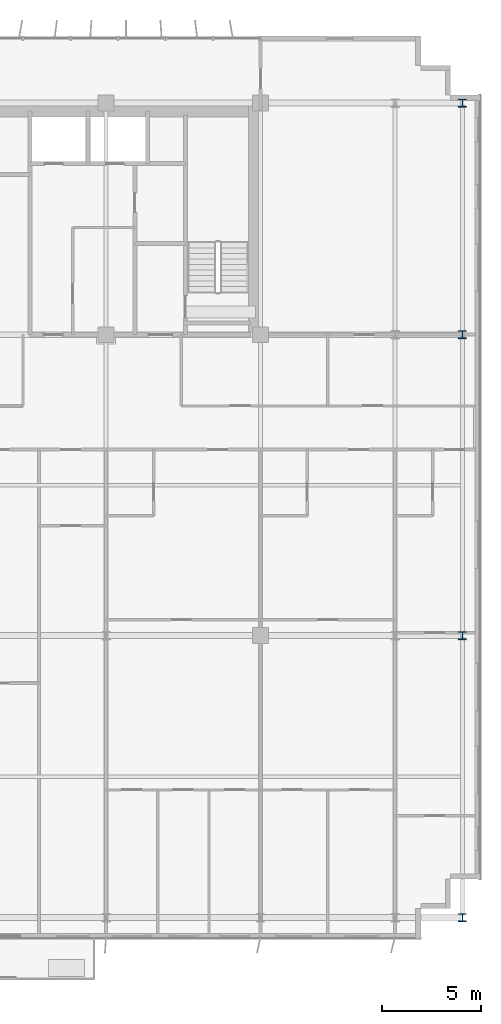
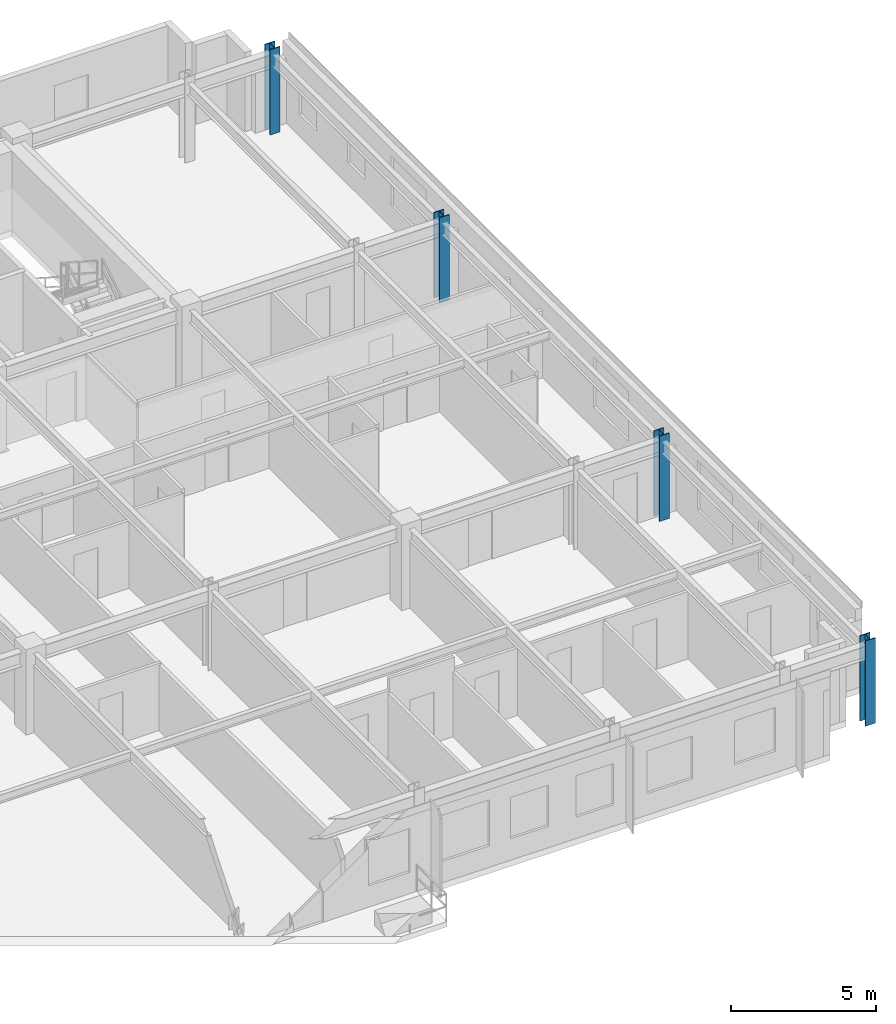
# One storey, part 3 of 22: 4 columns.
"""IFC4 building model written with IfcOpenShell, lengths in metres."""

from ifc_helpers import new_model, si_unit, direction, frame, origin, origin_2d, place, context, subcontext, project, spatial, i_section, extrude, source, transform, mapped, material, material_profile, profile_set, type_object, element, save


model = new_model("IFC4")

# Units and contexts
model_context = context("Model", 3, precision=1e-05, world=origin(), true_north=direction((0.0, 1.0)))
body_context = subcontext(model_context, "Body", "Model", "MODEL_VIEW")
ifc_project = project(units=[si_unit("LENGTHUNIT", "METRE"), si_unit("AREAUNIT", "SQUARE_METRE"), si_unit("VOLUMEUNIT", "CUBIC_METRE"), si_unit("PLANEANGLEUNIT", "RADIAN"), si_unit("MASSUNIT", "GRAM", prefix="KILO")], contexts=[model_context])

# Site, building, storey
site_placement = place(None, origin())
site = spatial("IfcSite", under=ifc_project, at=site_placement, CompositionType="ELEMENT")
building_placement = place(site_placement, origin())
building = spatial("IfcBuilding", under=site, at=building_placement, Name="Trelvane Seafront Commons", CompositionType="ELEMENT")
storey_placement = place(building_placement, frame((0.0, 0.0, 92.5)))
storey = spatial("IfcBuildingStorey", under=building, at=storey_placement, Name="L23", CompositionType="ELEMENT", Elevation=92.5)

# Columns
ifc_material = material(Name="Steel SM355 (S355)", Category="steel")
ifc_material_profile = material_profile(ifc_material, i_section(OverallWidth=0.39990234375, OverallDepth=0.39990234375, WebThickness=0.02197265625, FlangeThickness=0.034912109375, at=origin_2d()), Name="HD-400x400x22x35")
ifc_profile_set = profile_set([ifc_material_profile], Name="Steel SM355 (S355)")
column_type = type_object("IfcColumnType", Name="STR-COL-HD400", PredefinedType="COLUMN", material=ifc_profile_set)
shared_shape = source(origin(), body_context, "Body", "SweptSolid", [
    extrude(i_section(OverallWidth=0.39990234375, OverallDepth=0.39990234375, WebThickness=0.02197265625, FlangeThickness=0.034912109375, at=origin_2d()), origin(), (0.0, 0.0, 1.0), 3.60009765625),
])
for number, where, z_axis, x_axis, name in (
    (1, (69.0, 3.949951171875, 0.0), (0.0, 0.0, 1.0), (1.0, 0.0, 0.0), "L23 Column TC-S69.0"),
    (2, (69.0, 18.199951171875, 0.0), (0.0, 0.0, 1.0), (1.0, 0.0, 0.0), "L23 Column TC-M69.0"),
    (3, (69.0, 33.39990234375, 0.0), (0.0, 0.0, 1.0), (1.0, 0.0, 0.0), "L23 Column TC-CS69.0"),
    (4, (69.0, 45.10009765625, 0.0), (0.0, 0.0, 1.0), (1.0, 0.0, 0.0), "L23 Column TC-CN69.0"),
):
    element("IfcColumn", number, at=place(storey_placement, frame(where, z_axis=z_axis, x_axis=x_axis)), inside=storey, type_object=column_type, Name=name, PredefinedType="COLUMN", context=body_context, shape_type="MappedRepresentation", body=[
        mapped(shared_shape, transform((0.0, 0.0, 0.0), x_axis=(1.0, 0.0, 0.0), y_axis=(0.0, 1.0, 0.0), z_axis=(0.0, 0.0, 1.0), scale=1.0)),
    ])

save(model, "model.ifc")
